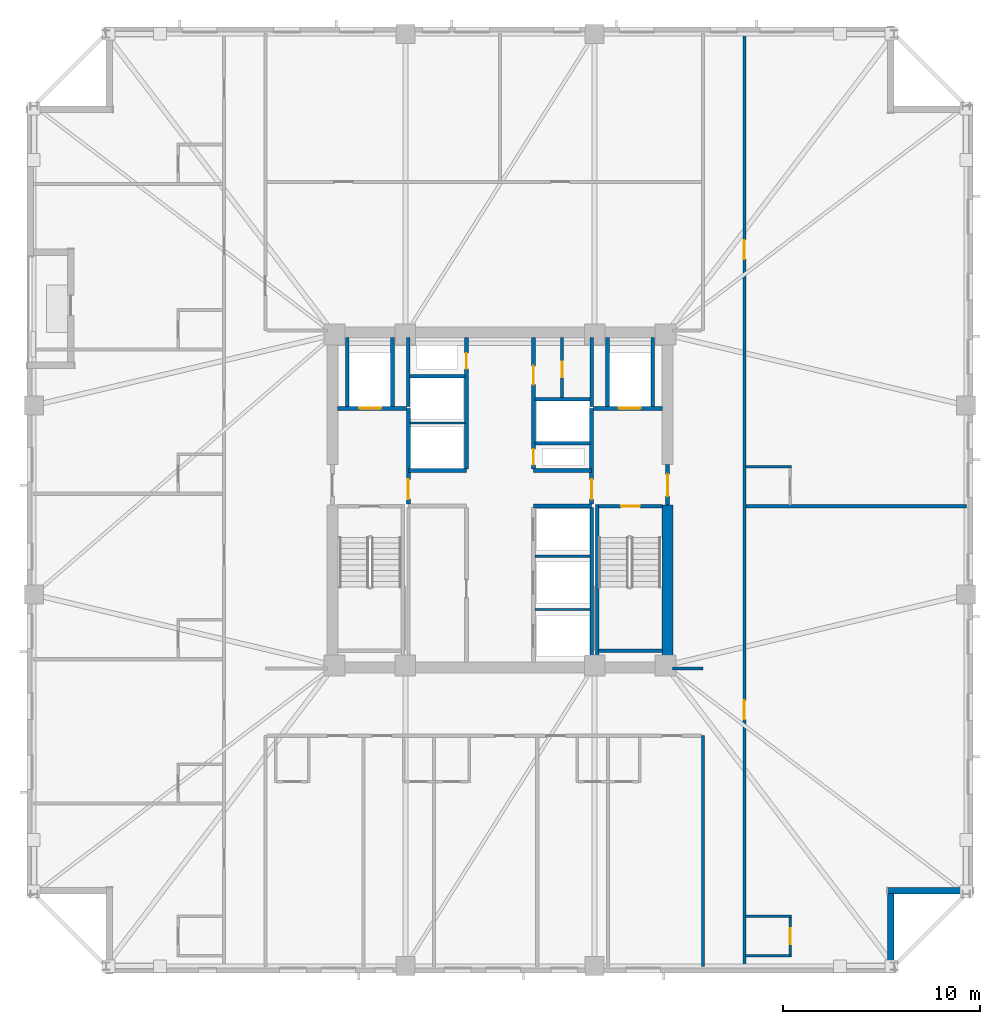
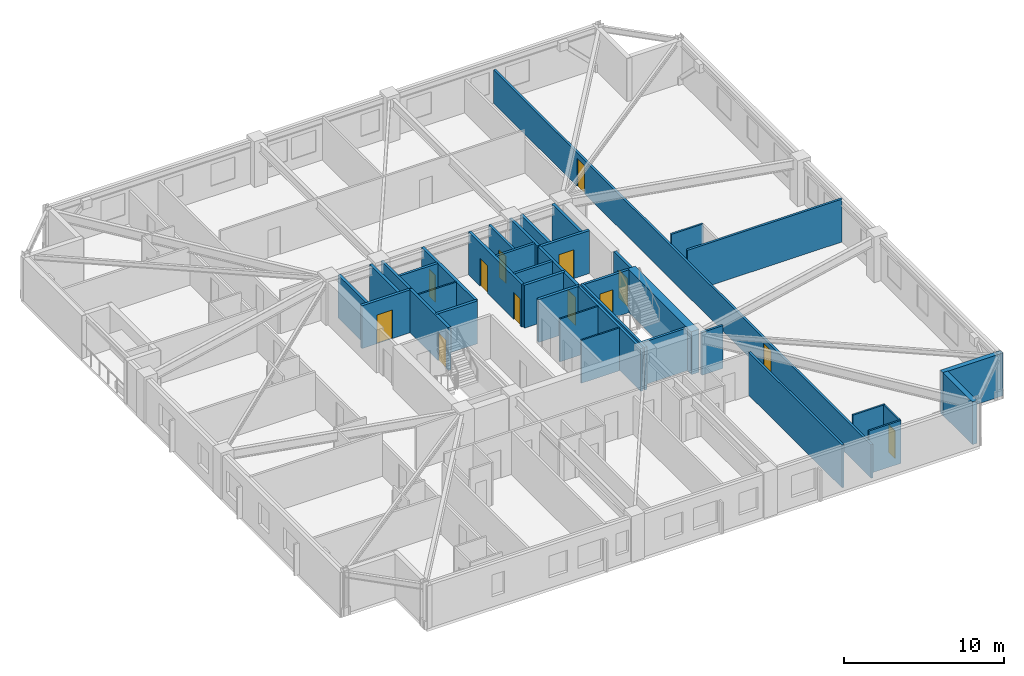
# One storey, part 4 of 11: 38 walls, 13 doors, 13 openings.
"""IFC4 building model written with IfcOpenShell, lengths in metres."""

from ifc_helpers import new_model, si_unit, direction, frame, frame_2d, origin, place, context, subcontext, project, spatial, rectangle, extrude, material, layer, layer_set, type_object, element, fill, save


model = new_model("IFC4")

# Units and contexts
model_context = context("Model", 3, precision=1e-05, world=origin(), true_north=direction((0.0, 1.0)))
body_context = subcontext(model_context, "Body", "Model", "MODEL_VIEW")
ifc_project = project(units=[si_unit("LENGTHUNIT", "METRE"), si_unit("AREAUNIT", "SQUARE_METRE"), si_unit("VOLUMEUNIT", "CUBIC_METRE"), si_unit("PLANEANGLEUNIT", "RADIAN"), si_unit("MASSUNIT", "GRAM", prefix="KILO")], contexts=[model_context])

# Site, building, storey
site_placement = place(None, origin())
site = spatial("IfcSite", under=ifc_project, at=site_placement, CompositionType="ELEMENT")
building_placement = place(site_placement, origin())
building = spatial("IfcBuilding", under=site, at=building_placement, Name="Cairnveth Concourse Tower", CompositionType="ELEMENT")
storey_placement = place(building_placement, frame((0.0, 0.0, 116.5)))
storey = spatial("IfcBuildingStorey", under=building, at=storey_placement, Name="L31", CompositionType="ELEMENT", Elevation=116.5)

# Wall, opening, door
ifc_material_1 = material(Name="Gypsum Plasterboard Partition", Category="gypsum")
ifc_layer_1 = layer(ifc_material_1, 0.159912109375)
ifc_layer_set_1 = layer_set([ifc_layer_1], Name="Gypsum Plasterboard Partition")
wall_type_1 = type_object("IfcWallType", Name="ACOUSTIC PARTY WALL 180", PredefinedType="PARTITIONING", material=ifc_layer_set_1)
wall_1_placement = place(storey_placement, frame((55.14990234375, 44.195068359375, 0.0), z_axis=(0.0, 0.0, 1.0), x_axis=(0.0, 1.0, 0.0)))
wall_1 = element("IfcWall", 1, at=wall_1_placement, inside=storey, type_object=wall_type_1, Name="Interior Wall IW-L31-035", PredefinedType="PARTITIONING", context=body_context, shape_type="SweptSolid", body=[
    extrude(rectangle(XDim=3.044921875, YDim=0.159912109375, at=frame_2d((1.5224609375, 0.0))), origin(), (0.0, 0.0, 1.0), 3.280029296875),
])
opening_1_placement = place(wall_1_placement, frame((1.02490234375, 0.0, 0.0)))
opening_1 = element("IfcOpeningElement", 2, at=opening_1_placement, cuts=wall_1, Name="Opening ID23", PredefinedType="OPENING", context=body_context, shape_type="SweptSolid", body=[
    extrude(rectangle(XDim=0.800048828125, YDim=2.10009765625, at=frame_2d((0.39990234375, 1.050048828125))), frame((0.0, 0.08984375, 0.0), z_axis=(0.0, -1.0, 0.0), x_axis=(1.0, 0.0, 0.0)), (0.0, 0.0, 1.0), 0.179931640625),
])
ifc_material_2 = material(Name="Steel Grade 350", Category="steel")
door_type_1 = type_object("IfcDoorType", Name="CORE SERVICE DOOR 800X2100", OperationType="NOTDEFINED", PredefinedType="DOOR", material=ifc_material_2)
door_1_placement = place(opening_1_placement, origin())
door_1 = element("IfcDoor", 3, at=door_1_placement, inside=storey, type_object=door_type_1, Name="NE Linen Closet Door L31", OperationType="SINGLE_SWING_RIGHT", OverallHeight=2.10009765625, OverallWidth=0.800048828125, PredefinedType="DOOR", context=body_context, shape_type="SweptSolid", body=[
    extrude(rectangle(XDim=0.800048828125, YDim=2.10009765625, at=frame_2d((0.39990234375, 1.050048828125))), frame((0.0, 0.02490234375, 0.0), z_axis=(0.0, -1.0, 0.0), x_axis=(1.0, 0.0, 0.0)), (0.0, 0.0, 1.0), 0.050048828125),
])
fill(opening_1, door_1)

# Wall, openings, doors
wall_2_placement = place(storey_placement, frame((64.39990234375, 15.324951171875, 0.0), z_axis=(0.0, 0.0, 1.0), x_axis=(0.0, 1.0, 0.0)))
wall_2 = element("IfcWall", 4, at=wall_2_placement, inside=storey, type_object=wall_type_1, Name="Interior Wall IW-L31-041", PredefinedType="PARTITIONING", context=body_context, shape_type="SweptSolid", body=[
    extrude(rectangle(XDim=47.35009765625, YDim=0.159912109375, at=frame_2d((23.675048828125, 0.0))), origin(), (0.0, 0.0, 1.0), 2.554931640625),
])
opening_2_placement = place(wall_2_placement, frame((12.546630859375, 0.0, 0.0)))
opening_2 = element("IfcOpeningElement", 5, at=opening_2_placement, cuts=wall_2, Name="Opening ID09", PredefinedType="OPENING", context=body_context, shape_type="SweptSolid", body=[
    extrude(rectangle(XDim=0.9599609375, YDim=2.14990234375, at=frame_2d((0.47998046875, 1.074951171875))), frame((0.0, 0.08984375, 0.0), z_axis=(0.0, -1.0, 0.0), x_axis=(1.0, 0.0, 0.0)), (0.0, 0.0, 1.0), 0.179931640625),
])
opening_3_placement = place(wall_2_placement, frame((35.901611328125, 0.0, 0.0)))
opening_3 = element("IfcOpeningElement", 6, at=opening_3_placement, cuts=wall_2, Name="Opening ID09", PredefinedType="OPENING", context=body_context, shape_type="SweptSolid", body=[
    extrude(rectangle(XDim=0.9599609375, YDim=2.14990234375, at=frame_2d((0.47998046875, 1.074951171875))), frame((0.0, 0.08984375, 0.0), z_axis=(0.0, -1.0, 0.0), x_axis=(1.0, 0.0, 0.0)), (0.0, 0.0, 1.0), 0.179931640625),
])
ifc_material_3 = material(Name="Solid Core Hardwood Timber Leaf", Category="wood")
door_type_2 = type_object("IfcDoorType", Name="HOTEL ENTRANCE DOOR 960X2150", OperationType="NOTDEFINED", PredefinedType="DOOR", material=ifc_material_3)
door_2_placement = place(opening_2_placement, origin())
door_2 = element("IfcDoor", 7, at=door_2_placement, inside=storey, type_object=door_type_2, Name="Hotel Room Door L31-E1", OperationType="SINGLE_SWING_LEFT", OverallHeight=2.14990234375, OverallWidth=0.9599609375, PredefinedType="DOOR", context=body_context, shape_type="SweptSolid", body=[
    extrude(rectangle(XDim=0.9599609375, YDim=2.14990234375, at=frame_2d((0.47998046875, 1.074951171875))), frame((0.0, 0.02490234375, 0.0), z_axis=(0.0, -1.0, 0.0), x_axis=(1.0, 0.0, 0.0)), (0.0, 0.0, 1.0), 0.050048828125),
])
fill(opening_2, door_2)
door_3_placement = place(opening_3_placement, origin())
door_3 = element("IfcDoor", 8, at=door_3_placement, inside=storey, type_object=door_type_2, Name="Hotel Room Door L31-E2", OperationType="SINGLE_SWING_LEFT", OverallHeight=2.14990234375, OverallWidth=0.9599609375, PredefinedType="DOOR", context=body_context, shape_type="SweptSolid", body=[
    extrude(rectangle(XDim=0.9599609375, YDim=2.14990234375, at=frame_2d((0.47998046875, 1.074951171875))), frame((0.0, 0.02490234375, 0.0), z_axis=(0.0, -1.0, 0.0), x_axis=(1.0, 0.0, 0.0)), (0.0, 0.0, 1.0), 0.050048828125),
])
fill(opening_3, door_3)

# Walls
wall_3_placement = place(storey_placement, frame((62.300048828125, 15.324951171875, 0.0), z_axis=(0.0, 0.0, 1.0), x_axis=(0.0, 1.0, 0.0)))
element("IfcWall", 9, at=wall_3_placement, inside=storey, type_object=wall_type_1, Name="Interior Wall IW-L31-042", PredefinedType="PARTITIONING", context=body_context, shape_type="SweptSolid", body=[
    extrude(rectangle(XDim=11.715087890625, YDim=0.159912109375, at=frame_2d((5.857421875, 0.0))), origin(), (0.0, 0.0, 1.0), 3.280029296875),
])
wall_4_placement = place(storey_placement, frame((60.764892578125, 30.449951171875, 0.0), z_axis=(0.0, 0.0, 1.0), x_axis=(1.0, 0.0, 0.0)))
element("IfcWall", 10, at=wall_4_placement, inside=storey, type_object=wall_type_1, Name="Interior Wall IW-L31-044", PredefinedType="PARTITIONING", context=body_context, shape_type="SweptSolid", body=[
    extrude(rectangle(XDim=1.53515625, YDim=0.159912109375, at=frame_2d((0.767578125, 0.0))), origin(), (0.0, 0.0, 1.0), 3.280029296875),
])
wall_5_placement = place(storey_placement, frame((64.47998046875, 38.68310546875, 0.0), z_axis=(0.0, 0.0, 1.0), x_axis=(1.0, 0.0, 0.0)))
element("IfcWall", 11, at=wall_5_placement, inside=storey, type_object=wall_type_1, Name="Interior Wall IW-L31-085", PredefinedType="PARTITIONING", context=body_context, shape_type="SweptSolid", body=[
    extrude(rectangle(XDim=11.195068359375, YDim=0.159912109375, at=frame_2d((5.59765625, 0.0))), origin(), (0.0, 0.0, 1.0), 3.280029296875),
])
ifc_material_4 = material(Name="Concrete N80 (80 MPa)", Category="concrete")
ifc_layer_2 = layer(ifc_material_4, 0.550048828125)
ifc_layer_set_2 = layer_set([ifc_layer_2], Name="Concrete N80 (80 MPa)")
wall_type_2 = type_object("IfcWallType", Name="CORE SHEAR WALL 550", PredefinedType="SHEAR", material=ifc_layer_set_2)
wall_6_placement = place(storey_placement, frame((60.5, 30.764892578125, 0.0), z_axis=(0.0, 0.0, 1.0), x_axis=(0.0, 1.0, 0.0)))
element("IfcWall", 12, at=wall_6_placement, inside=storey, type_object=wall_type_2, Name="Core East Shear Wall S L31", PredefinedType="SHEAR", context=body_context, shape_type="SweptSolid", body=[
    extrude(rectangle(XDim=7.985107421875, YDim=0.550048828125, at=frame_2d((3.99267578125, 0.0))), origin(), (0.0, 0.0, 1.0), 3.280029296875),
])
ifc_material_5 = material(Name="Concrete N50 (50 MPa)", Category="concrete")
ifc_layer_3 = layer(ifc_material_5, 0.179931640625)
ifc_layer_set_3 = layer_set([ifc_layer_3], Name="Concrete N50 (50 MPa)")
wall_type_3 = type_object("IfcWallType", Name="FIRE SHAFT WALL 180", PredefinedType="SOLIDWALL", material=ifc_layer_set_3)
wall_7_placement = place(storey_placement, frame((56.64990234375, 30.760009765625, 0.0), z_axis=(0.0, 0.0, 1.0), x_axis=(0.0, 1.0, 0.0)))
element("IfcWall", 13, at=wall_7_placement, inside=storey, type_object=wall_type_3, Name="Interior Wall IW-L31-026", PredefinedType="SOLIDWALL", context=body_context, shape_type="SweptSolid", body=[
    extrude(rectangle(XDim=7.85498046875, YDim=0.179931640625, at=frame_2d((3.927490234375, 0.0))), origin(), (0.0, 0.0, 1.0), 3.280029296875),
])
wall_8_placement = place(storey_placement, frame((47.35009765625, 43.735107421875, 0.0), z_axis=(0.0, 0.0, 1.0), x_axis=(0.0, 1.0, 0.0)))
element("IfcWall", 14, at=wall_8_placement, inside=storey, type_object=wall_type_3, Name="Interior Wall IW-L31-029", PredefinedType="SOLIDWALL", context=body_context, shape_type="SweptSolid", body=[
    extrude(rectangle(XDim=3.5048828125, YDim=0.179931640625, at=frame_2d((1.75244140625, 0.0))), origin(), (0.0, 0.0, 1.0), 3.280029296875),
])
wall_9_placement = place(storey_placement, frame((47.425048828125, 45.280029296875, 0.0), z_axis=(0.0, 0.0, 1.0), x_axis=(1.0, 0.0, 0.0)))
element("IfcWall", 15, at=wall_9_placement, inside=storey, type_object=wall_type_3, Name="Interior Wall IW-L31-031", PredefinedType="SOLIDWALL", context=body_context, shape_type="SweptSolid", body=[
    extrude(rectangle(XDim=2.7900390625, YDim=0.179931640625, at=frame_2d((1.39501953125, 0.0))), origin(), (0.0, 0.0, 1.0), 3.280029296875),
])
wall_10_placement = place(storey_placement, frame((56.64990234375, 43.735107421875, 0.0), z_axis=(0.0, 0.0, 1.0), x_axis=(0.0, 1.0, 0.0)))
element("IfcWall", 16, at=wall_10_placement, inside=storey, type_object=wall_type_3, Name="Interior Wall IW-L31-032", PredefinedType="SOLIDWALL", context=body_context, shape_type="SweptSolid", body=[
    extrude(rectangle(XDim=3.5048828125, YDim=0.179931640625, at=frame_2d((1.75244140625, 0.0))), origin(), (0.0, 0.0, 1.0), 3.280029296875),
])
wall_11_placement = place(storey_placement, frame((53.784912109375, 41.8798828125, 0.0), z_axis=(0.0, 0.0, 1.0), x_axis=(1.0, 0.0, 0.0)))
element("IfcWall", 17, at=wall_11_placement, inside=storey, type_object=wall_type_3, Name="Interior Wall IW-L31-033", PredefinedType="SOLIDWALL", context=body_context, shape_type="SweptSolid", body=[
    extrude(rectangle(XDim=2.780029296875, YDim=0.179931640625, at=frame_2d((1.39013671875, 0.0))), origin(), (0.0, 0.0, 1.0), 3.280029296875),
])
wall_12_placement = place(storey_placement, frame((53.784912109375, 44.1201171875, 0.0), z_axis=(0.0, 0.0, 1.0), x_axis=(1.0, 0.0, 0.0)))
element("IfcWall", 18, at=wall_12_placement, inside=storey, type_object=wall_type_3, Name="Interior Wall IW-L31-034", PredefinedType="SOLIDWALL", context=body_context, shape_type="SweptSolid", body=[
    extrude(rectangle(XDim=2.7900390625, YDim=0.179931640625, at=frame_2d((1.39501953125, 0.0))), origin(), (0.0, 0.0, 1.0), 3.280029296875),
])

# Wall, opening, door
wall_13_placement = place(storey_placement, frame((57.0048828125, 38.68994140625, 0.0), z_axis=(0.0, 0.0, 1.0), x_axis=(1.0, 0.0, 0.0)))
wall_13 = element("IfcWall", 19, at=wall_13_placement, inside=storey, type_object=wall_type_3, Name="Stair ST-2 Shaft Wall NEAR L31", PredefinedType="SOLIDWALL", context=body_context, shape_type="SweptSolid", body=[
    extrude(rectangle(XDim=3.230224609375, YDim=0.179931640625, at=frame_2d((1.615234375, 0.0))), origin(), (0.0, 0.0, 1.0), 3.280029296875),
])
opening_4_placement = place(wall_13_placement, frame((1.139892578125, 0.0, 0.0)))
opening_4 = element("IfcOpeningElement", 20, at=opening_4_placement, cuts=wall_13, Name="Opening ID12", PredefinedType="OPENING", context=body_context, shape_type="SweptSolid", body=[
    extrude(rectangle(XDim=0.949951171875, YDim=2.14990234375, at=frame_2d((0.47509765625, 1.074951171875))), frame((0.0, 0.099853515625, 0.0), z_axis=(0.0, -1.0, 0.0), x_axis=(1.0, 0.0, 0.0)), (0.0, 0.0, 1.0), 0.199951171875),
])
door_type_3 = type_object("IfcDoorType", Name="FIRE STAIR DOOR 950X2150", OperationType="NOTDEFINED", PredefinedType="DOOR", material=ifc_material_2)
door_4_placement = place(opening_4_placement, origin())
door_4 = element("IfcDoor", 21, at=door_4_placement, inside=storey, type_object=door_type_3, Name="Stair ST-2 Fire Door L31", OperationType="SINGLE_SWING_RIGHT", OverallHeight=2.14990234375, OverallWidth=0.949951171875, PredefinedType="DOOR", context=body_context, shape_type="SweptSolid", body=[
    extrude(rectangle(XDim=0.949951171875, YDim=2.14990234375, at=frame_2d((0.47509765625, 1.074951171875))), frame((0.0, 0.02490234375, 0.0), z_axis=(0.0, -1.0, 0.0), x_axis=(1.0, 0.0, 0.0)), (0.0, 0.0, 1.0), 0.050048828125),
])
fill(opening_4, door_4)

# Walls
wall_14_placement = place(storey_placement, frame((57.0048828125, 31.360107421875, 0.0), z_axis=(0.0, 0.0, 1.0), x_axis=(1.0, 0.0, 0.0)))
element("IfcWall", 22, at=wall_14_placement, inside=storey, type_object=wall_type_3, Name="Stair ST-2 Shaft Wall FAR L31", PredefinedType="SOLIDWALL", context=body_context, shape_type="SweptSolid", body=[
    extrude(rectangle(XDim=3.230224609375, YDim=0.179931640625, at=frame_2d((1.615234375, 0.0))), origin(), (0.0, 0.0, 1.0), 3.280029296875),
])
wall_15_placement = place(storey_placement, frame((56.929931640625, 38.780029296875, 0.0), z_axis=(0.0, 0.0, 1.0), x_axis=(0.0, -1.0, 0.0)))
element("IfcWall", 23, at=wall_15_placement, inside=storey, type_object=wall_type_3, Name="Stair ST-2 Shaft Wall LEFT L31", PredefinedType="SOLIDWALL", context=body_context, shape_type="SweptSolid", body=[
    extrude(rectangle(XDim=8.01708984375, YDim=0.179931640625, at=frame_2d((4.008544921875, 0.0))), origin(), (0.0, 0.0, 1.0), 3.280029296875),
])
ifc_layer_4 = layer(ifc_material_5, 0.199951171875)
ifc_layer_set_4 = layer_set([ifc_layer_4], Name="Concrete N50 (50 MPa)")
wall_type_4 = type_object("IfcWallType", Name="FIRE SHAFT WALL 200", PredefinedType="SOLIDWALL", material=ifc_layer_set_4)
for number, where, z_axis, x_axis, name in (
    (24, (47.35009765625, 40.5, 0.0), (0.0, 0.0, 1.0), (1.0, 0.0, 0.0), "Interior Wall IW-L31-008"),
    (25, (53.699951171875, 38.699951171875, 0.0), (0.0, 0.0, 1.0), (1.0, 0.0, 0.0), "Interior Wall IW-L31-009"),
    (26, (53.699951171875, 40.5, 0.0), (0.0, 0.0, 1.0), (1.0, 0.0, 0.0), "Interior Wall IW-L31-010"),
):
    element("IfcWall", number, at=place(storey_placement, frame(where, z_axis=z_axis, x_axis=x_axis)), inside=storey, type_object=wall_type_4, Name=name, PredefinedType="SOLIDWALL", context=body_context, shape_type="SweptSolid", body=[
        extrude(rectangle(XDim=2.949951171875, YDim=0.199951171875, at=frame_2d((1.47509765625, 0.0))), origin(), (0.0, 0.0, 1.0), 3.280029296875),
    ])

# Wall, opening, door
wall_16_placement = place(storey_placement, frame((50.300048828125, 40.5849609375, 0.0), z_axis=(0.0, 0.0, 1.0), x_axis=(0.0, 1.0, 0.0)))
wall_16 = element("IfcWall", 27, at=wall_16_placement, inside=storey, type_object=wall_type_4, Name="Interior Wall IW-L31-013", PredefinedType="SOLIDWALL", context=body_context, shape_type="SweptSolid", body=[
    extrude(rectangle(XDim=6.655029296875, YDim=0.199951171875, at=frame_2d((3.32763671875, 0.0))), origin(), (0.0, 0.0, 1.0), 3.280029296875),
])
opening_5_placement = place(wall_16_placement, frame((5.06494140625, 0.0, 0.0)))
opening_5 = element("IfcOpeningElement", 28, at=opening_5_placement, cuts=wall_16, Name="Opening ID24", PredefinedType="OPENING", context=body_context, shape_type="SweptSolid", body=[
    extrude(rectangle(XDim=0.800048828125, YDim=2.080078125, at=frame_2d((0.39990234375, 1.0400390625))), frame((0.0, 0.10986328125, 0.0), z_axis=(0.0, -1.0, 0.0), x_axis=(1.0, 0.0, 0.0)), (0.0, 0.0, 1.0), 0.219970703125),
])
door_type_4 = type_object("IfcDoorType", Name="RISER ACCESS DOOR 800X2100", OperationType="NOTDEFINED", PredefinedType="DOOR", material=ifc_material_2)
door_5_placement = place(opening_5_placement, origin())
door_5 = element("IfcDoor", 29, at=door_5_placement, inside=storey, type_object=door_type_4, Name="NW Electrical Riser Access Door L31", OperationType="SINGLE_SWING_LEFT", OverallHeight=2.080078125, OverallWidth=0.800048828125, PredefinedType="DOOR", context=body_context, shape_type="SweptSolid", body=[
    extrude(rectangle(XDim=0.800048828125, YDim=2.080078125, at=frame_2d((0.39990234375, 1.0400390625))), frame((0.0, 0.02490234375, 0.0), z_axis=(0.0, -1.0, 0.0), x_axis=(1.0, 0.0, 0.0)), (0.0, 0.0, 1.0), 0.050048828125),
])
fill(opening_5, door_5)

# Wall, openings, doors
wall_17_placement = place(storey_placement, frame((53.699951171875, 40.5849609375, 0.0), z_axis=(0.0, 0.0, 1.0), x_axis=(0.0, 1.0, 0.0)))
wall_17 = element("IfcWall", 30, at=wall_17_placement, inside=storey, type_object=wall_type_4, Name="Interior Wall IW-L31-014", PredefinedType="SOLIDWALL", context=body_context, shape_type="SweptSolid", body=[
    extrude(rectangle(XDim=6.655029296875, YDim=0.199951171875, at=frame_2d((3.32763671875, 0.0))), origin(), (0.0, 0.0, 1.0), 3.280029296875),
])
opening_6_placement = place(wall_17_placement, frame((0.195068359375, 0.0, 0.0)))
opening_6 = element("IfcOpeningElement", 31, at=opening_6_placement, cuts=wall_17, Name="Opening ID24", PredefinedType="OPENING", context=body_context, shape_type="SweptSolid", body=[
    extrude(rectangle(XDim=0.800048828125, YDim=2.080078125, at=frame_2d((0.39990234375, 1.0400390625))), frame((0.0, 0.10986328125, 0.0), z_axis=(0.0, -1.0, 0.0), x_axis=(1.0, 0.0, 0.0)), (0.0, 0.0, 1.0), 0.219970703125),
])
opening_7_placement = place(wall_17_placement, frame((4.264892578125, 0.0, 0.0)))
opening_7 = element("IfcOpeningElement", 32, at=opening_7_placement, cuts=wall_17, Name="Opening ID25", PredefinedType="OPENING", context=body_context, shape_type="SweptSolid", body=[
    extrude(rectangle(XDim=0.949951171875, YDim=2.1201171875, at=frame_2d((0.47509765625, 1.06005859375))), frame((0.0, 0.10986328125, 0.0), z_axis=(0.0, -1.0, 0.0), x_axis=(1.0, 0.0, 0.0)), (0.0, 0.0, 1.0), 0.219970703125),
])
door_type_5 = type_object("IfcDoorType", Name="CORE ACCESSIBLE FIRE DOOR 950X2120", OperationType="NOTDEFINED", PredefinedType="DOOR", material=ifc_material_2)
door_6_placement = place(opening_7_placement, origin())
door_6 = element("IfcDoor", 33, at=door_6_placement, inside=storey, type_object=door_type_5, Name="Core NE Restroom Door L31", OperationType="SINGLE_SWING_LEFT", OverallHeight=2.1201171875, OverallWidth=0.949951171875, PredefinedType="DOOR", context=body_context, shape_type="SweptSolid", body=[
    extrude(rectangle(XDim=0.949951171875, YDim=2.1201171875, at=frame_2d((0.47509765625, 1.06005859375))), frame((0.0, 0.02490234375, 0.0), z_axis=(0.0, -1.0, 0.0), x_axis=(1.0, 0.0, 0.0)), (0.0, 0.0, 1.0), 0.050048828125),
])
fill(opening_7, door_6)
door_7_placement = place(opening_6_placement, origin())
door_7 = element("IfcDoor", 34, at=door_7_placement, inside=storey, type_object=door_type_4, Name="Hydraulic Riser Door L31", OperationType="SINGLE_SWING_RIGHT", OverallHeight=2.080078125, OverallWidth=0.800048828125, PredefinedType="DOOR", context=body_context, shape_type="SweptSolid", body=[
    extrude(rectangle(XDim=0.800048828125, YDim=2.080078125, at=frame_2d((0.39990234375, 1.0400390625))), frame((0.0, 0.02490234375, 0.0), z_axis=(0.0, -1.0, 0.0), x_axis=(1.0, 0.0, 0.0)), (0.0, 0.0, 1.0), 0.050048828125),
])
fill(opening_6, door_7)

# Wall, opening, door
wall_18_placement = place(storey_placement, frame((47.35009765625, 38.784912109375, 0.0), z_axis=(0.0, 0.0, 1.0), x_axis=(0.0, 1.0, 0.0)))
wall_18 = element("IfcWall", 35, at=wall_18_placement, inside=storey, type_object=wall_type_4, Name="Interior Wall IW-L31-016", PredefinedType="SOLIDWALL", context=body_context, shape_type="SweptSolid", body=[
    extrude(rectangle(XDim=4.864990234375, YDim=0.199951171875, at=frame_2d((2.4326171875, 0.0))), origin(), (0.0, 0.0, 1.0), 3.280029296875),
])
opening_8_placement = place(wall_18_placement, frame((0.264892578125, 0.0, 0.0)))
opening_8 = element("IfcOpeningElement", 36, at=opening_8_placement, cuts=wall_18, Name="Opening ID07", PredefinedType="OPENING", context=body_context, shape_type="SweptSolid", body=[
    extrude(rectangle(XDim=1.0, YDim=2.14990234375, at=frame_2d((0.5, 1.074951171875))), frame((0.0, 0.10986328125, 0.0), z_axis=(0.0, -1.0, 0.0), x_axis=(1.0, 0.0, 0.0)), (0.0, 0.0, 1.0), 0.219970703125),
])
door_type_6 = type_object("IfcDoorType", Name="FIRE CORRIDOR DOOR 1000X2150", OperationType="NOTDEFINED", PredefinedType="DOOR", material=ifc_material_2)
door_8_placement = place(opening_8_placement, origin())
door_8 = element("IfcDoor", 37, at=door_8_placement, inside=storey, type_object=door_type_6, Name="FF Lobby West to Lift Lobby Door L31", OperationType="SINGLE_SWING_RIGHT", OverallHeight=2.14990234375, OverallWidth=1.0, PredefinedType="DOOR", context=body_context, shape_type="SweptSolid", body=[
    extrude(rectangle(XDim=1.0, YDim=2.14990234375, at=frame_2d((0.5, 1.074951171875))), frame((0.0, 0.02490234375, 0.0), z_axis=(0.0, -1.0, 0.0), x_axis=(1.0, 0.0, 0.0)), (0.0, 0.0, 1.0), 0.050048828125),
])
fill(opening_8, door_8)

wall_19_placement = place(storey_placement, frame((43.760009765625, 43.64990234375, 0.0), z_axis=(0.0, 0.0, 1.0), x_axis=(1.0, 0.0, 0.0)))
wall_19 = element("IfcWall", 38, at=wall_19_placement, inside=storey, type_object=wall_type_4, Name="Interior Wall IW-L31-017", PredefinedType="SOLIDWALL", context=body_context, shape_type="SweptSolid", body=[
    extrude(rectangle(XDim=3.5048828125, YDim=0.199951171875, at=frame_2d((1.75244140625, 0.0))), origin(), (0.0, 0.0, 1.0), 3.280029296875),
])
opening_9_placement = place(wall_19_placement, frame((1.110107421875, 0.0, 0.0)))
opening_9 = element("IfcOpeningElement", 39, at=opening_9_placement, cuts=wall_19, Name="Opening LD-1", PredefinedType="OPENING", context=body_context, shape_type="SweptSolid", body=[
    extrude(rectangle(XDim=1.10009765625, YDim=2.199951171875, at=frame_2d((0.550048828125, 1.10009765625))), frame((0.0, 0.10986328125, 0.0), z_axis=(0.0, -1.0, 0.0), x_axis=(1.0, 0.0, 0.0)), (0.0, 0.0, 1.0), 0.219970703125),
])
ifc_material_6 = material(Name="Architectural Bronze Anodised Aluminium 6063-T6", Category="aluminium")
door_type_7 = type_object("IfcDoorType", Name="LIFT LANDING DOOR 1100X2200", OperationType="SLIDING_TO_LEFT", PredefinedType="DOOR", material=ifc_material_6)
door_9_placement = place(opening_9_placement, origin())
door_9 = element("IfcDoor", 40, at=door_9_placement, inside=storey, type_object=door_type_7, Name="Lift FFL1 Landing Door L31", OperationType="SLIDING_TO_LEFT", OverallHeight=2.199951171875, OverallWidth=1.10009765625, PredefinedType="DOOR", context=body_context, shape_type="SweptSolid", body=[
    extrude(rectangle(XDim=1.10009765625, YDim=2.199951171875, at=frame_2d((0.550048828125, 1.10009765625))), frame((0.0, 0.02490234375, 0.0), z_axis=(0.0, -1.0, 0.0), x_axis=(1.0, 0.0, 0.0)), (0.0, 0.0, 1.0), 0.050048828125),
])
fill(opening_9, door_9)

# Walls
for number, where, z_axis, x_axis, name in (
    (41, (46.550048828125, 43.735107421875, 0.0), (0.0, 0.0, 1.0), (0.0, 1.0, 0.0), "Interior Wall IW-L31-018"),
    (42, (44.25, 43.735107421875, 0.0), (0.0, 0.0, 1.0), (0.0, 1.0, 0.0), "Interior Wall IW-L31-019"),
):
    element("IfcWall", number, at=place(storey_placement, frame(where, z_axis=z_axis, x_axis=x_axis)), inside=storey, type_object=wall_type_4, Name=name, PredefinedType="SOLIDWALL", context=body_context, shape_type="SweptSolid", body=[
        extrude(rectangle(XDim=3.5048828125, YDim=0.199951171875, at=frame_2d((1.75244140625, 0.0))), origin(), (0.0, 0.0, 1.0), 3.280029296875),
    ])

# Wall, opening, door
wall_20_placement = place(storey_placement, frame((60.5, 38.75, 0.0), z_axis=(0.0, 0.0, 1.0), x_axis=(0.0, 1.0, 0.0)))
wall_20 = element("IfcWall", 43, at=wall_20_placement, inside=storey, type_object=wall_type_4, Name="Interior Wall IW-L31-020", PredefinedType="SOLIDWALL", context=body_context, shape_type="SweptSolid", body=[
    extrude(rectangle(XDim=2.050048828125, YDim=0.199951171875, at=frame_2d((1.02490234375, 0.0))), origin(), (0.0, 0.0, 1.0), 3.280029296875),
])
opening_10_placement = place(wall_20_placement, frame((0.449951171875, 0.0, 0.0)))
opening_10 = element("IfcOpeningElement", 44, at=opening_10_placement, cuts=wall_20, Name="Opening ID06", PredefinedType="OPENING", context=body_context, shape_type="SweptSolid", body=[
    extrude(rectangle(XDim=1.10009765625, YDim=2.14990234375, at=frame_2d((0.550048828125, 1.074951171875))), frame((0.0, 0.10986328125, 0.0), z_axis=(0.0, -1.0, 0.0), x_axis=(1.0, 0.0, 0.0)), (0.0, 0.0, 1.0), 0.219970703125),
])
door_type_8 = type_object("IfcDoorType", Name="FIRE CORRIDOR DOOR 1100X2150", OperationType="NOTDEFINED", PredefinedType="DOOR", material=ifc_material_2)
door_10_placement = place(opening_10_placement, origin())
door_10 = element("IfcDoor", 45, at=door_10_placement, inside=storey, type_object=door_type_8, Name="East Wing to FF Lobby Door L31", OperationType="SINGLE_SWING_RIGHT", OverallHeight=2.14990234375, OverallWidth=1.10009765625, PredefinedType="DOOR", context=body_context, shape_type="SweptSolid", body=[
    extrude(rectangle(XDim=1.10009765625, YDim=2.14990234375, at=frame_2d((0.550048828125, 1.074951171875))), frame((0.0, 0.02490234375, 0.0), z_axis=(0.0, -1.0, 0.0), x_axis=(1.0, 0.0, 0.0)), (0.0, 0.0, 1.0), 0.050048828125),
])
fill(opening_10, door_10)

wall_21_placement = place(storey_placement, frame((56.64990234375, 38.784912109375, 0.0), z_axis=(0.0, 0.0, 1.0), x_axis=(0.0, 1.0, 0.0)))
wall_21 = element("IfcWall", 46, at=wall_21_placement, inside=storey, type_object=wall_type_4, Name="Interior Wall IW-L31-021", PredefinedType="SOLIDWALL", context=body_context, shape_type="SweptSolid", body=[
    extrude(rectangle(XDim=4.864990234375, YDim=0.199951171875, at=frame_2d((2.4326171875, 0.0))), origin(), (0.0, 0.0, 1.0), 3.280029296875),
])
opening_11_placement = place(wall_21_placement, frame((0.264892578125, 0.0, 0.0)))
opening_11 = element("IfcOpeningElement", 47, at=opening_11_placement, cuts=wall_21, Name="Opening ID07", PredefinedType="OPENING", context=body_context, shape_type="SweptSolid", body=[
    extrude(rectangle(XDim=1.0, YDim=2.14990234375, at=frame_2d((0.5, 1.074951171875))), frame((0.0, 0.10986328125, 0.0), z_axis=(0.0, -1.0, 0.0), x_axis=(1.0, 0.0, 0.0)), (0.0, 0.0, 1.0), 0.219970703125),
])
door_11_placement = place(opening_11_placement, origin())
door_11 = element("IfcDoor", 48, at=door_11_placement, inside=storey, type_object=door_type_6, Name="FF Lobby East to Lift Lobby Door L31", OperationType="SINGLE_SWING_LEFT", OverallHeight=2.14990234375, OverallWidth=1.0, PredefinedType="DOOR", context=body_context, shape_type="SweptSolid", body=[
    extrude(rectangle(XDim=1.0, YDim=2.14990234375, at=frame_2d((0.5, 1.074951171875))), frame((0.0, 0.02490234375, 0.0), z_axis=(0.0, -1.0, 0.0), x_axis=(1.0, 0.0, 0.0)), (0.0, 0.0, 1.0), 0.050048828125),
])
fill(opening_11, door_11)

wall_22_placement = place(storey_placement, frame((56.735107421875, 43.64990234375, 0.0), z_axis=(0.0, 0.0, 1.0), x_axis=(1.0, 0.0, 0.0)))
wall_22 = element("IfcWall", 49, at=wall_22_placement, inside=storey, type_object=wall_type_4, Name="Interior Wall IW-L31-022", PredefinedType="SOLIDWALL", context=body_context, shape_type="SweptSolid", body=[
    extrude(rectangle(XDim=3.5048828125, YDim=0.199951171875, at=frame_2d((1.75244140625, 0.0))), origin(), (0.0, 0.0, 1.0), 3.280029296875),
])
opening_12_placement = place(wall_22_placement, frame((1.294921875, 0.0, 0.0)))
opening_12 = element("IfcOpeningElement", 50, at=opening_12_placement, cuts=wall_22, Name="Opening LD-1", PredefinedType="OPENING", context=body_context, shape_type="SweptSolid", body=[
    extrude(rectangle(XDim=1.10009765625, YDim=2.199951171875, at=frame_2d((0.550048828125, 1.10009765625))), frame((0.0, 0.10986328125, 0.0), z_axis=(0.0, -1.0, 0.0), x_axis=(1.0, 0.0, 0.0)), (0.0, 0.0, 1.0), 0.219970703125),
])
door_12_placement = place(opening_12_placement, origin())
door_12 = element("IfcDoor", 51, at=door_12_placement, inside=storey, type_object=door_type_7, Name="Lift FFL2 Landing Door L31", OperationType="SLIDING_TO_LEFT", OverallHeight=2.199951171875, OverallWidth=1.10009765625, PredefinedType="DOOR", context=body_context, shape_type="SweptSolid", body=[
    extrude(rectangle(XDim=1.10009765625, YDim=2.199951171875, at=frame_2d((0.550048828125, 1.10009765625))), frame((0.0, 0.02490234375, 0.0), z_axis=(0.0, -1.0, 0.0), x_axis=(1.0, 0.0, 0.0)), (0.0, 0.0, 1.0), 0.050048828125),
])
fill(opening_12, door_12)

# Walls
for number, where, z_axis, x_axis, name in (
    (52, (57.449951171875, 43.735107421875, 0.0), (0.0, 0.0, 1.0), (0.0, 1.0, 0.0), "Interior Wall IW-L31-023"),
    (53, (59.75, 43.735107421875, 0.0), (0.0, 0.0, 1.0), (0.0, 1.0, 0.0), "Interior Wall IW-L31-024"),
):
    element("IfcWall", number, at=place(storey_placement, frame(where, z_axis=z_axis, x_axis=x_axis)), inside=storey, type_object=wall_type_4, Name=name, PredefinedType="SOLIDWALL", context=body_context, shape_type="SweptSolid", body=[
        extrude(rectangle(XDim=3.5048828125, YDim=0.199951171875, at=frame_2d((1.75244140625, 0.0))), origin(), (0.0, 0.0, 1.0), 3.280029296875),
    ])
ifc_layer_5 = layer(ifc_material_1, 0.110107421875)
ifc_layer_set_5 = layer_set([ifc_layer_5], Name="Gypsum Plasterboard Partition")
wall_type_5 = type_object("IfcWallType", Name="SHAFT DIVIDER WALL 140", PredefinedType="PARTITIONING", material=ifc_layer_set_5)
for number, where, z_axis, x_axis, name in (
    (54, (53.784912109375, 33.449951171875, 0.0), (0.0, 0.0, 1.0), (1.0, 0.0, 0.0), "Interior Wall IW-L31-027"),
    (55, (53.784912109375, 36.14990234375, 0.0), (0.0, 0.0, 1.0), (1.0, 0.0, 0.0), "Interior Wall IW-L31-028"),
):
    element("IfcWall", number, at=place(storey_placement, frame(where, z_axis=z_axis, x_axis=x_axis)), inside=storey, type_object=wall_type_5, Name=name, PredefinedType="PARTITIONING", context=body_context, shape_type="SweptSolid", body=[
        extrude(rectangle(XDim=2.7900390625, YDim=0.110107421875, at=frame_2d((1.39501953125, 0.0))), origin(), (0.0, 0.0, 1.0), 3.280029296875),
    ])
wall_23_placement = place(storey_placement, frame((47.43505859375, 42.89990234375, 0.0), z_axis=(0.0, 0.0, 1.0), x_axis=(1.0, 0.0, 0.0)))
element("IfcWall", 56, at=wall_23_placement, inside=storey, type_object=wall_type_5, Name="Interior Wall IW-L31-030", PredefinedType="PARTITIONING", context=body_context, shape_type="SweptSolid", body=[
    extrude(rectangle(XDim=2.780029296875, YDim=0.110107421875, at=frame_2d((1.39013671875, 0.0))), origin(), (0.0, 0.0, 1.0), 3.280029296875),
])
ifc_layer_6 = layer(ifc_material_1, 0.1298828125)
ifc_layer_set_6 = layer_set([ifc_layer_6], Name="Gypsum Plasterboard Partition")
wall_type_6 = type_object("IfcWallType", Name="WET AREA PARTITION 140", PredefinedType="PLUMBINGWALL", material=ifc_layer_set_6)
for number, where, z_axis, x_axis, name in (
    (57, (64.465087890625, 15.8701171875, 0.0), (0.0, 0.0, 1.0), (1.0, 0.0, 0.0), "Interior Wall IW-L31-082"),
    (58, (64.465087890625, 17.8701171875, 0.0), (0.0, 0.0, 1.0), (1.0, 0.0, 0.0), "Interior Wall IW-L31-083"),
):
    element("IfcWall", number, at=place(storey_placement, frame(where, z_axis=z_axis, x_axis=x_axis)), inside=storey, type_object=wall_type_6, Name=name, PredefinedType="PLUMBINGWALL", context=body_context, shape_type="SweptSolid", body=[
        extrude(rectangle(XDim=2.31494140625, YDim=0.1298828125, at=frame_2d((1.157470703125, 0.0))), origin(), (0.0, 0.0, 1.0), 3.280029296875),
    ])

# Wall, opening, door
wall_24_placement = place(storey_placement, frame((66.72998046875, 15.919921875, 0.0), z_axis=(0.0, 0.0, 1.0), x_axis=(0.0, 1.0, 0.0)))
wall_24 = element("IfcWall", 59, at=wall_24_placement, inside=storey, type_object=wall_type_6, Name="Interior Wall IW-L31-084", PredefinedType="PLUMBINGWALL", context=body_context, shape_type="SweptSolid", body=[
    extrude(rectangle(XDim=1.900146484375, YDim=0.1298828125, at=frame_2d((0.9501953125, 0.0))), origin(), (0.0, 0.0, 1.0), 3.280029296875),
])
opening_13_placement = place(wall_24_placement, frame((0.5400390625, 0.0, 0.0)))
opening_13 = element("IfcOpeningElement", 60, at=opening_13_placement, cuts=wall_24, Name="Opening ID22", PredefinedType="OPENING", context=body_context, shape_type="SweptSolid", body=[
    extrude(rectangle(XDim=0.820068359375, YDim=2.10009765625, at=frame_2d((0.41015625, 1.050048828125))), frame((0.0, 0.074951171875, 0.0), z_axis=(0.0, -1.0, 0.0), x_axis=(1.0, 0.0, 0.0)), (0.0, 0.0, 1.0), 0.14990234375),
])
door_type_9 = type_object("IfcDoorType", Name="INTERIOR WC DOOR 820X2100", OperationType="NOTDEFINED", PredefinedType="DOOR", material=ifc_material_3)
door_13_placement = place(opening_13_placement, origin())
door_13 = element("IfcDoor", 61, at=door_13_placement, inside=storey, type_object=door_type_9, Name="En-Suite Door L31-E1", OperationType="SINGLE_SWING_RIGHT", OverallHeight=2.10009765625, OverallWidth=0.820068359375, PredefinedType="DOOR", context=body_context, shape_type="SweptSolid", body=[
    extrude(rectangle(XDim=0.820068359375, YDim=2.10009765625, at=frame_2d((0.41015625, 1.050048828125))), frame((0.0, 0.02490234375, 0.0), z_axis=(0.0, -1.0, 0.0), x_axis=(1.0, 0.0, 0.0)), (0.0, 0.0, 1.0), 0.050048828125),
])
fill(opening_13, door_13)

# Walls
wall_25_placement = place(storey_placement, frame((64.465087890625, 40.68310546875, 0.0), z_axis=(0.0, 0.0, 1.0), x_axis=(1.0, 0.0, 0.0)))
element("IfcWall", 62, at=wall_25_placement, inside=storey, type_object=wall_type_6, Name="Interior Wall IW-L31-086", PredefinedType="PLUMBINGWALL", context=body_context, shape_type="SweptSolid", body=[
    extrude(rectangle(XDim=2.31494140625, YDim=0.1298828125, at=frame_2d((1.157470703125, 0.0))), origin(), (0.0, 0.0, 1.0), 3.280029296875),
])
ifc_material_7 = material(Name="Hawthorn Red-Ochre Fired Clay Brick Masonry", Category="masonry")
ifc_layer_7 = layer(ifc_material_7, 0.340087890625)
ifc_layer_set_7 = layer_set([ifc_layer_7], Name="Hawthorn Red-Ochre Fired Clay Brick Masonry")
wall_type_7 = type_object("IfcWallType", Name="ZONE 2 BRICK PIER SPANDREL WALL 340", PredefinedType="SOLIDWALL", material=ifc_layer_set_7)
wall_26_placement = place(storey_placement, frame((76.0, 19.169921875, 0.0), z_axis=(0.0, 0.0, 1.0), x_axis=(-1.0, 0.0, 0.0)))
element("IfcWall", 63, at=wall_26_placement, inside=storey, type_object=wall_type_7, Name="Exterior Wall EW-L31-S07", PredefinedType="SOLIDWALL", context=body_context, shape_type="SweptSolid", body=[
    extrude(rectangle(XDim=4.340087890625, YDim=0.340087890625, at=frame_2d((2.169921875, 0.0))), origin(), (0.0, 0.0, 1.0), 3.280029296875),
])
wall_27_placement = place(storey_placement, frame((71.830078125, 19.02197265625, 0.0), z_axis=(0.0, 0.0, 1.0), x_axis=(0.0, -1.0, 0.0)))
element("IfcWall", 64, at=wall_27_placement, inside=storey, type_object=wall_type_7, Name="Exterior Wall EW-L31-S08", PredefinedType="SOLIDWALL", context=body_context, shape_type="SweptSolid", body=[
    extrude(rectangle(XDim=3.703857421875, YDim=0.340087890625, at=frame_2d((1.85205078125, 0.0))), origin(), (0.0, 0.0, 1.0), 3.280029296875),
])

save(model, "model.ifc")
